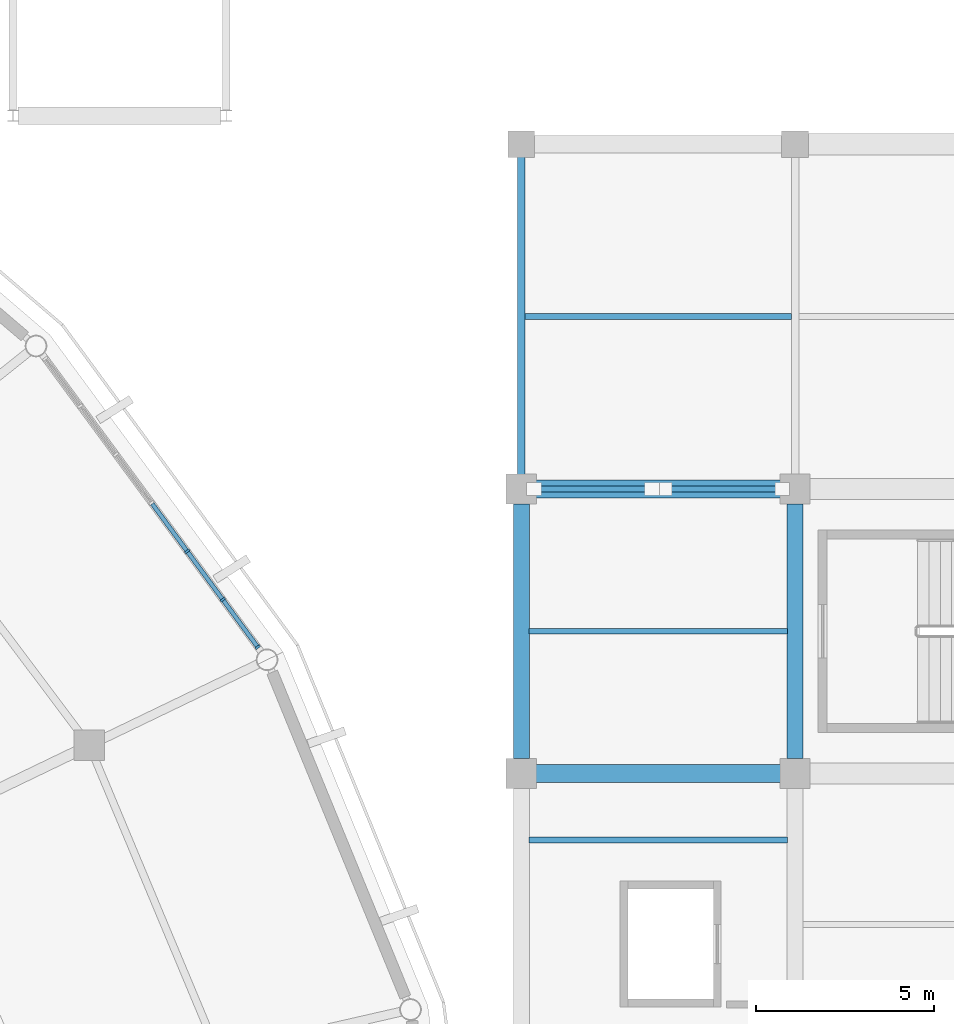
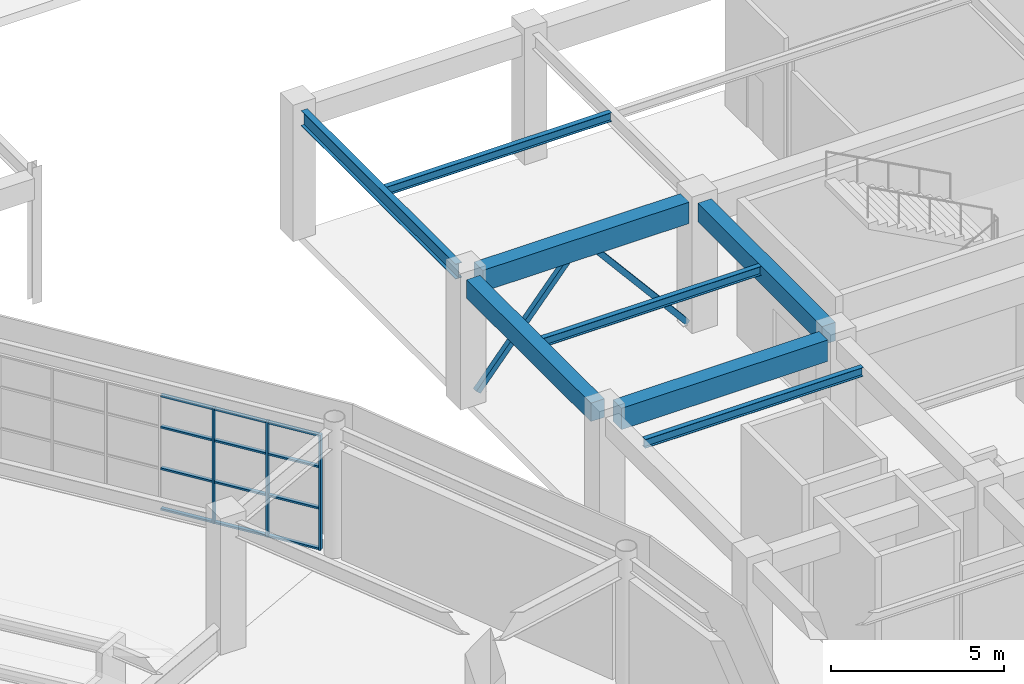
# One storey, part 69 of 122: 17 members, 8 beams, 1 element without a shape of its own.
"""IFC4 building model written with IfcOpenShell, lengths in metres."""

from ifc_helpers import new_model, si_unit, direction, frame, origin, origin_2d, place, context, subcontext, project, spatial, rectangle, hollow_rectangle, i_section, extrude, material, material_profile, profile_set, type_object, element, aggregate, save


model = new_model("IFC4")

# Units and contexts
model_context = context("Model", 3, precision=1e-05, world=origin(), true_north=direction((0.0, 1.0)))
body_context = subcontext(model_context, "Body", "Model", "MODEL_VIEW")
ifc_project = project(units=[si_unit("LENGTHUNIT", "METRE"), si_unit("AREAUNIT", "SQUARE_METRE"), si_unit("VOLUMEUNIT", "CUBIC_METRE"), si_unit("PLANEANGLEUNIT", "RADIAN"), si_unit("MASSUNIT", "GRAM", prefix="KILO")], contexts=[model_context])

# Site, building, storey
site_placement = place(None, origin())
site = spatial("IfcSite", under=ifc_project, at=site_placement, CompositionType="ELEMENT")
building_placement = place(site_placement, origin())
building = spatial("IfcBuilding", under=site, at=building_placement, Name="Cuetzalor Civic Arena", CompositionType="ELEMENT")
storey_placement = place(building_placement, frame((0.0, 0.0, 16.199951171875)))
storey = spatial("IfcBuildingStorey", under=building, at=storey_placement, Name="L03", CompositionType="ELEMENT", Elevation=16.199951171875)

# Beams
ifc_material_1 = material(Name="Concrete C40/50", Category="concrete")
ifc_material_profile_1 = material_profile(ifc_material_1, rectangle(XDim=0.5, YDim=0.75, at=origin_2d()), Name="RC 500x750")
ifc_profile_set_1 = profile_set([ifc_material_profile_1], Name="Concrete C40/50")
beam_type_1 = type_object("IfcBeamType", Name="ConcreteFrameBeam_500x750", PredefinedType="BEAM", material=ifc_profile_set_1)
for number, where, z_axis, x_axis, name in (
    (1, (56.715087890625, 17.0, 4.14501953125), (1.0, 0.0, 0.0), (0.0, 1.0, 0.0), "Frame Girder V4E-L03-X0980"),
    (2, (56.715087890625, 25.0, 4.14501953125), (1.0, 0.0, 0.0), (0.0, 1.0, 0.0), "Frame Girder V4E-L03-X0983"),
):
    element("IfcBeam", number, at=place(storey_placement, frame(where, z_axis=z_axis, x_axis=x_axis)), inside=storey, type_object=beam_type_1, Name=name, PredefinedType="BEAM", context=body_context, shape_type="SweptSolid", body=[
        extrude(rectangle(XDim=0.5, YDim=0.75, at=origin_2d()), origin(), (0.0, 0.0, 1.0), 6.869873046875),
    ])
ifc_material_2 = material(Name="Concrete C40/50", Category="concrete")
ifc_material_profile_2 = material_profile(ifc_material_2, rectangle(XDim=0.449951171875, YDim=0.64990234375, at=origin_2d()), Name="RC 450x650")
ifc_profile_set_2 = profile_set([ifc_material_profile_2], Name="Concrete C40/50")
beam_type_2 = type_object("IfcBeamType", Name="ConcreteTieBeam_450x650", PredefinedType="BEAM", material=ifc_profile_set_2)
for number, where, z_axis, x_axis, name in (
    (3, (56.300048828125, 17.4150390625, 4.195068359375), (0.0, 1.0, 0.0), (-1.0, 0.0, 0.0), "Frame Girder V4E-L03-Y0997"),
    (4, (64.0, 17.4150390625, 4.195068359375), (0.0, 1.0, 0.0), (-1.0, 0.0, 0.0), "Frame Girder V4E-L03-Y1007"),
):
    element("IfcBeam", number, at=place(storey_placement, frame(where, z_axis=z_axis, x_axis=x_axis)), inside=storey, type_object=beam_type_2, Name=name, PredefinedType="BEAM", context=body_context, shape_type="SweptSolid", body=[
        extrude(rectangle(XDim=0.449951171875, YDim=0.64990234375, at=origin_2d()), origin(), (0.0, 0.0, 1.0), 7.169921875),
    ])

# Curtain wall, members
ifc_material_3 = material(Name="Anodised dark bronze aluminium and low-E solar glass", Category="aluminium")
curtain_wall_type = type_object("IfcCurtainWallType", Name="UnitisedCW_10150x4050", PredefinedType="USERDEFINED", material=ifc_material_3)
curtain_wall_placement = place(storey_placement, origin())
curtain_wall = element("IfcCurtainWall", 5, at=curtain_wall_placement, inside=storey, type_object=curtain_wall_type, Name="Drum Triangle Foyer Curtain Wall L03-045", ObjectType="UNITISED CURTAIN WALL", PredefinedType="USERDEFINED")
ifc_material_4 = material(Name="Anodised dark bronze aluminium", Category="aluminium")
ifc_material_profile_3 = material_profile(ifc_material_4, rectangle(XDim=0.06494140625, YDim=0.14990234375, at=origin_2d()), Name="ALU MULLION 65x150")
ifc_profile_set_3 = profile_set([ifc_material_profile_3], Name="Anodised dark bronze aluminium")
member_type_1 = type_object("IfcMemberType", Name="CurtainWallMullion_60x150", PredefinedType="MULLION", material=ifc_profile_set_3)
member_1_placement = place(storey_placement, frame((46.90087890625, 23.2490234375, 0.0), z_axis=(0.0, 0.0, 1.0), x_axis=(0.59292931222, -0.805254513002, 0.0)))
member_1 = element("IfcMember", 6, at=member_1_placement, type_object=member_type_1, Name="CW-12 mullion 5", PredefinedType="MULLION", context=body_context, shape_type="SweptSolid", body=[
    extrude(rectangle(XDim=0.06494140625, YDim=0.14990234375, at=origin_2d()), origin(), (0.0, 0.0, 1.0), 4.052978515625),
])
member_2_placement = place(storey_placement, frame((47.9033203125, 21.8876953125, 0.0), z_axis=(0.0, 0.0, 1.0), x_axis=(0.59292931222, -0.805254513002, 0.0)))
member_2 = element("IfcMember", 7, at=member_2_placement, type_object=member_type_1, Name="CW-12 mullion 6", PredefinedType="MULLION", context=body_context, shape_type="SweptSolid", body=[
    extrude(rectangle(XDim=0.06494140625, YDim=0.14990234375, at=origin_2d()), origin(), (0.0, 0.0, 1.0), 4.052978515625),
])
member_3_placement = place(storey_placement, frame((48.886474609375, 20.552490234375, 0.0), z_axis=(0.0, 0.0, 1.0), x_axis=(0.59292931222, -0.805254513002, 0.0)))
member_3 = element("IfcMember", 8, at=member_3_placement, type_object=member_type_1, Name="CW-12 mullion 7", PredefinedType="MULLION", context=body_context, shape_type="SweptSolid", body=[
    extrude(rectangle(XDim=0.06494140625, YDim=0.14990234375, at=origin_2d()), origin(), (0.0, 0.0, 1.0), 4.052978515625),
])
ifc_material_5 = material(Name="Anodised dark bronze aluminium", Category="aluminium")
ifc_material_profile_4 = material_profile(ifc_material_5, rectangle(XDim=0.1201171875, YDim=0.06494140625, at=origin_2d()), Name="ALU TRANSOM 65x120")
ifc_profile_set_4 = profile_set([ifc_material_profile_4], Name="Anodised dark bronze aluminium")
member_type_2 = type_object("IfcMemberType", Name="CurtainWallTransom_60x120", PredefinedType="USERDEFINED", material=ifc_profile_set_4)
member_4_placement = place(storey_placement, frame((45.917724609375, 24.584228515625, 0.032470703125), z_axis=(0.592912120819, -0.805267171183, 0.0), x_axis=(0.805267171183, 0.592912120819, 0.0)))
member_4 = element("IfcMember", 9, at=member_4_placement, type_object=member_type_2, Name="CW-12 transom 4.1", ObjectType="TRANSOM", PredefinedType="USERDEFINED", context=body_context, shape_type="SweptSolid", body=[
    extrude(rectangle(XDim=0.1201171875, YDim=0.06494140625, at=origin_2d()), origin(), (0.0, 0.0, 1.0), 1.625732421875),
])
member_5_placement = place(storey_placement, frame((45.917724609375, 24.584228515625, 1.458984375), z_axis=(0.592912120819, -0.805267171183, 0.0), x_axis=(0.805267171183, 0.592912120819, 0.0)))
member_5 = element("IfcMember", 10, at=member_5_placement, type_object=member_type_2, Name="CW-12 transom 4.2", ObjectType="TRANSOM", PredefinedType="USERDEFINED", context=body_context, shape_type="SweptSolid", body=[
    extrude(rectangle(XDim=0.1201171875, YDim=0.06494140625, at=origin_2d()), origin(), (0.0, 0.0, 1.0), 1.625732421875),
])
member_6_placement = place(storey_placement, frame((45.917724609375, 24.584228515625, 2.91796875), z_axis=(0.592912120819, -0.805267171183, 0.0), x_axis=(0.805267171183, 0.592912120819, 0.0)))
member_6 = element("IfcMember", 11, at=member_6_placement, type_object=member_type_2, Name="CW-12 transom 4.3", ObjectType="TRANSOM", PredefinedType="USERDEFINED", context=body_context, shape_type="SweptSolid", body=[
    extrude(rectangle(XDim=0.1201171875, YDim=0.06494140625, at=origin_2d()), origin(), (0.0, 0.0, 1.0), 1.625732421875),
])
member_7_placement = place(storey_placement, frame((45.917724609375, 24.584228515625, 4.0205078125), z_axis=(0.592912120819, -0.805267171183, 0.0), x_axis=(0.805267171183, 0.592912120819, 0.0)))
member_7 = element("IfcMember", 12, at=member_7_placement, type_object=member_type_2, Name="CW-12 transom 4.4", ObjectType="TRANSOM", PredefinedType="USERDEFINED", context=body_context, shape_type="SweptSolid", body=[
    extrude(rectangle(XDim=0.1201171875, YDim=0.06494140625, at=origin_2d()), origin(), (0.0, 0.0, 1.0), 1.625732421875),
])
member_8_placement = place(storey_placement, frame((46.920166015625, 23.222900390625, 0.032470703125), z_axis=(0.592912120819, -0.805267171183, 0.0), x_axis=(0.805267171183, 0.592912120819, 0.0)))
member_8 = element("IfcMember", 13, at=member_8_placement, type_object=member_type_2, Name="CW-12 transom 5.1", ObjectType="TRANSOM", PredefinedType="USERDEFINED", context=body_context, shape_type="SweptSolid", body=[
    extrude(rectangle(XDim=0.1201171875, YDim=0.06494140625, at=origin_2d()), origin(), (0.0, 0.0, 1.0), 1.625732421875),
])
member_9_placement = place(storey_placement, frame((46.920166015625, 23.222900390625, 1.458984375), z_axis=(0.592912120819, -0.805267171183, 0.0), x_axis=(0.805267171183, 0.592912120819, 0.0)))
member_9 = element("IfcMember", 14, at=member_9_placement, type_object=member_type_2, Name="CW-12 transom 5.2", ObjectType="TRANSOM", PredefinedType="USERDEFINED", context=body_context, shape_type="SweptSolid", body=[
    extrude(rectangle(XDim=0.1201171875, YDim=0.06494140625, at=origin_2d()), origin(), (0.0, 0.0, 1.0), 1.625732421875),
])
member_10_placement = place(storey_placement, frame((46.920166015625, 23.222900390625, 2.91796875), z_axis=(0.592912120819, -0.805267171183, 0.0), x_axis=(0.805267171183, 0.592912120819, 0.0)))
member_10 = element("IfcMember", 15, at=member_10_placement, type_object=member_type_2, Name="CW-12 transom 5.3", ObjectType="TRANSOM", PredefinedType="USERDEFINED", context=body_context, shape_type="SweptSolid", body=[
    extrude(rectangle(XDim=0.1201171875, YDim=0.06494140625, at=origin_2d()), origin(), (0.0, 0.0, 1.0), 1.625732421875),
])
member_11_placement = place(storey_placement, frame((46.920166015625, 23.222900390625, 4.0205078125), z_axis=(0.592912120819, -0.805267171183, 0.0), x_axis=(0.805267171183, 0.592912120819, 0.0)))
member_11 = element("IfcMember", 16, at=member_11_placement, type_object=member_type_2, Name="CW-12 transom 5.4", ObjectType="TRANSOM", PredefinedType="USERDEFINED", context=body_context, shape_type="SweptSolid", body=[
    extrude(rectangle(XDim=0.1201171875, YDim=0.06494140625, at=origin_2d()), origin(), (0.0, 0.0, 1.0), 1.625732421875),
])
member_12_placement = place(storey_placement, frame((47.922607421875, 21.861328125, 0.032470703125), z_axis=(0.592963756922, -0.805229149359, 0.0), x_axis=(0.805229149359, 0.592963756922, 0.0)))
member_12 = element("IfcMember", 17, at=member_12_placement, type_object=member_type_2, Name="CW-12 transom 6.1", ObjectType="TRANSOM", PredefinedType="USERDEFINED", context=body_context, shape_type="SweptSolid", body=[
    extrude(rectangle(XDim=0.1201171875, YDim=0.06494140625, at=origin_2d()), origin(), (0.0, 0.0, 1.0), 1.593017578125),
])
member_13_placement = place(storey_placement, frame((47.922607421875, 21.861328125, 1.458984375), z_axis=(0.592963756922, -0.805229149359, 0.0), x_axis=(0.805229149359, 0.592963756922, 0.0)))
member_13 = element("IfcMember", 18, at=member_13_placement, type_object=member_type_2, Name="CW-12 transom 6.2", ObjectType="TRANSOM", PredefinedType="USERDEFINED", context=body_context, shape_type="SweptSolid", body=[
    extrude(rectangle(XDim=0.1201171875, YDim=0.06494140625, at=origin_2d()), origin(), (0.0, 0.0, 1.0), 1.593017578125),
])
member_14_placement = place(storey_placement, frame((47.922607421875, 21.861328125, 2.91796875), z_axis=(0.592963756922, -0.805229149359, 0.0), x_axis=(0.805229149359, 0.592963756922, 0.0)))
member_14 = element("IfcMember", 19, at=member_14_placement, type_object=member_type_2, Name="CW-12 transom 6.3", ObjectType="TRANSOM", PredefinedType="USERDEFINED", context=body_context, shape_type="SweptSolid", body=[
    extrude(rectangle(XDim=0.1201171875, YDim=0.06494140625, at=origin_2d()), origin(), (0.0, 0.0, 1.0), 1.593017578125),
])
member_15_placement = place(storey_placement, frame((47.922607421875, 21.861328125, 4.0205078125), z_axis=(0.592963756922, -0.805229149359, 0.0), x_axis=(0.805229149359, 0.592963756922, 0.0)))
member_15 = element("IfcMember", 20, at=member_15_placement, type_object=member_type_2, Name="CW-12 transom 6.4", ObjectType="TRANSOM", PredefinedType="USERDEFINED", context=body_context, shape_type="SweptSolid", body=[
    extrude(rectangle(XDim=0.1201171875, YDim=0.06494140625, at=origin_2d()), origin(), (0.0, 0.0, 1.0), 1.593017578125),
])
aggregate(curtain_wall, [member_1, member_2, member_3, member_4, member_5, member_6, member_7, member_8, member_9, member_10, member_11, member_12, member_13, member_14, member_15])

# Members
ifc_material_6 = material(Name="Steel S355", Category="steel")
ifc_material_profile_5 = material_profile(ifc_material_6, hollow_rectangle(XDim=0.179931640625, YDim=0.179931640625, WallThickness=0.010009765625, at=origin_2d()), Name="RHS 180x180x10")
ifc_profile_set_5 = profile_set([ifc_material_profile_5], Name="Steel S355")
member_type_3 = type_object("IfcMemberType", Name="LateralFrameBrace_RHS180", PredefinedType="BRACE", material=ifc_profile_set_5)
member_16_placement = place(storey_placement, frame((56.659912109375, 25.0, 0.150146484375), z_axis=(0.644208902135, 0.0, 0.764849586788), x_axis=(0.0, 1.0, 0.0)))
element("IfcMember", 21, at=member_16_placement, inside=storey, type_object=member_type_3, Name="Lateral Chevron Brace V4E-L03-029", PredefinedType="BRACE", context=body_context, shape_type="SweptSolid", body=[
    extrude(hollow_rectangle(XDim=0.179931640625, YDim=0.179931640625, WallThickness=0.010009765625, at=origin_2d()), origin(), (0.0, 0.0, 1.0), 5.13818359375),
])
member_17_placement = place(storey_placement, frame((63.639892578125, 25.0, 0.150146484375), z_axis=(-0.644181104804, 0.0, 0.764872998748), x_axis=(0.0, -1.0, 0.0)))
element("IfcMember", 22, at=member_17_placement, inside=storey, type_object=member_type_3, Name="Lateral Chevron Brace V4E-L03-030", PredefinedType="BRACE", context=body_context, shape_type="SweptSolid", body=[
    extrude(hollow_rectangle(XDim=0.179931640625, YDim=0.179931640625, WallThickness=0.010009765625, at=origin_2d()), origin(), (0.0, 0.0, 1.0), 5.137939453125),
])

# Beams
ifc_material_7 = material(Name="Steel S355", Category="steel")
ifc_material_profile_6 = material_profile(ifc_material_7, i_section(OverallWidth=0.166015625, OverallDepth=0.31298828125, WebThickness=0.006591796875, FlangeThickness=0.01123046875, at=origin_2d()), Name="W310x45")
ifc_profile_set_6 = profile_set([ifc_material_profile_6], Name="Steel S355")
beam_type_3 = type_object("IfcBeamType", Name="SecondaryRoofJoist_W310", PredefinedType="JOIST", material=ifc_profile_set_6)
for number, where, z_axis, x_axis, name in (
    (23, (56.51708984375, 15.1298828125, 4.363525390625), (1.0, 0.0, 0.0), (0.0, 1.0, 0.0), "Secondary Floor Joist V4E-L03-0299"),
    (24, (56.51708984375, 21.0, 4.363525390625), (1.0, 0.0, 0.0), (0.0, 1.0, 0.0), "Secondary Floor Joist V4E-L03-0300"),
):
    element("IfcBeam", number, at=place(storey_placement, frame(where, z_axis=z_axis, x_axis=x_axis)), inside=storey, type_object=beam_type_3, Name=name, PredefinedType="JOIST", context=body_context, shape_type="SweptSolid", body=[
        extrude(i_section(OverallWidth=0.166015625, OverallDepth=0.31298828125, WebThickness=0.006591796875, FlangeThickness=0.01123046875, at=origin_2d()), origin(), (0.0, 0.0, 1.0), 7.265869140625),
    ])
beam_1_placement = place(storey_placement, frame((56.396484375, 29.85009765625, 4.363525390625), z_axis=(1.0, 0.0, 0.0), x_axis=(0.0, 1.0, 0.0)))
element("IfcBeam", 25, at=beam_1_placement, inside=storey, type_object=beam_type_3, Name="Secondary Floor Joist V4E-L03-0301", PredefinedType="JOIST", context=body_context, shape_type="SweptSolid", body=[
    extrude(i_section(OverallWidth=0.166015625, OverallDepth=0.31298828125, WebThickness=0.006591796875, FlangeThickness=0.01123046875, at=origin_2d()), origin(), (0.0, 0.0, 1.0), 7.507080078125),
])
ifc_material_8 = material(Name="Steel S355", Category="steel")
ifc_material_profile_7 = material_profile(ifc_material_8, i_section(OverallWidth=0.208984375, OverallDepth=0.532958984375, WebThickness=0.01025390625, FlangeThickness=0.015625, at=origin_2d()), Name="W530x92")
ifc_profile_set_7 = profile_set([ifc_material_profile_7], Name="Steel S355")
beam_type_4 = type_object("IfcBeamType", Name="SteelCollarGirder_W530", PredefinedType="BEAM", material=ifc_profile_set_7)
beam_2_placement = place(storey_placement, frame((56.300048828125, 25.4150390625, 4.253662109375), z_axis=(0.0, 1.0, 0.0), x_axis=(-1.0, 0.0, 0.0)))
element("IfcBeam", 26, at=beam_2_placement, inside=storey, type_object=beam_type_4, Name="Frame Girder V4E-L03-Y0998", PredefinedType="BEAM", context=body_context, shape_type="SweptSolid", body=[
    extrude(i_section(OverallWidth=0.208984375, OverallDepth=0.532958984375, WebThickness=0.01025390625, FlangeThickness=0.015625, at=origin_2d()), origin(), (0.0, 0.0, 1.0), 8.919921875),
])

save(model, "model.ifc")
